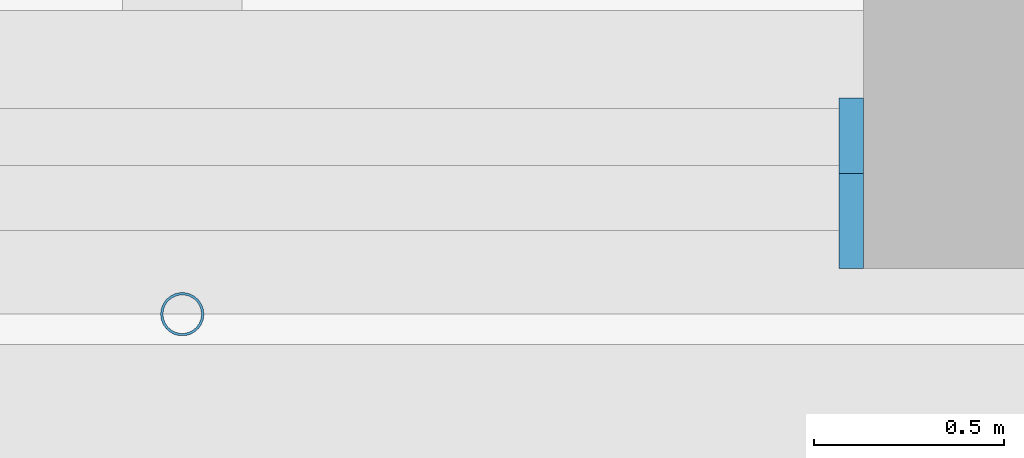
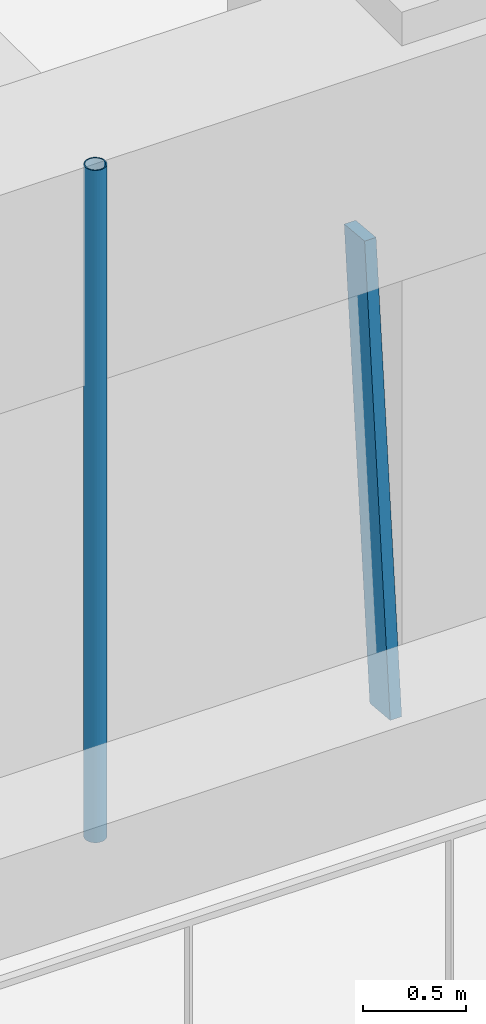
# One storey, part 4 of 24: 2 members, 1 element without a shape of its own.
"""IFC4 building model written with IfcOpenShell, lengths in metres."""

from ifc_helpers import new_model, si_unit, direction, frame, origin, origin_2d, place, context, subcontext, project, spatial, rectangle, hollow_circle, extrude, material, material_profile, profile_set, type_object, element, aggregate, save


model = new_model("IFC4")

# Units and contexts
model_context = context("Model", 3, precision=1e-05, world=origin(), true_north=direction((0.0, 1.0)))
body_context = subcontext(model_context, "Body", "Model", "MODEL_VIEW")
ifc_project = project(units=[si_unit("LENGTHUNIT", "METRE"), si_unit("AREAUNIT", "SQUARE_METRE"), si_unit("VOLUMEUNIT", "CUBIC_METRE"), si_unit("PLANEANGLEUNIT", "RADIAN"), si_unit("MASSUNIT", "GRAM", prefix="KILO")], contexts=[model_context])

# Site, building, storey
site_placement = place(None, origin())
site = spatial("IfcSite", under=ifc_project, at=site_placement, CompositionType="ELEMENT")
building_placement = place(site_placement, origin())
building = spatial("IfcBuilding", under=site, at=building_placement, Name="Tarfa Lantern Tower", CompositionType="ELEMENT")
storey_placement = place(building_placement, frame((0.0, 0.0, 94.89990234375)))
storey = spatial("IfcBuildingStorey", under=building, at=storey_placement, Name="L21", CompositionType="ELEMENT", Elevation=94.89990234375)

# Curtain wall, member
ifc_material_1 = material(Name="Aluminium framed curtain wall", Category="aluminium")
curtain_wall_type = type_object("IfcCurtainWallType", Name="CW1 CANTED GLAZING LOW ZONE 2700", PredefinedType="USERDEFINED", material=ifc_material_1)
curtain_wall_placement = place(storey_placement, origin())
curtain_wall = element("IfcCurtainWall", 1, at=curtain_wall_placement, inside=storey, type_object=curtain_wall_type, Name="CW1 S L21", ObjectType="CURTAIN WALL", PredefinedType="USERDEFINED")
ifc_material_2 = material(Name="Aluminium mullion", Category="aluminium")
ifc_material_profile_1 = material_profile(ifc_material_2, rectangle(XDim=0.06494140625, YDim=0.199951171875, at=origin_2d()), Name="AL MULLION 65x200")
ifc_profile_set_1 = profile_set([ifc_material_profile_1], Name="Aluminium mullion")
member_type_1 = type_object("IfcMemberType", Name="CWM1 MULLION 65x200", PredefinedType="MULLION", material=ifc_profile_set_1)
member_1_placement = place(storey_placement, frame((9.8447265625, -33.89990234375, 0.0), z_axis=(0.0, 0.092191598296, 0.995741286281), x_axis=(-1.0, 0.0, 0.0)))
member_1 = element("IfcMember", 2, at=member_1_placement, type_object=member_type_1, Name="CW1 mullion 2", PredefinedType="MULLION", context=body_context, shape_type="SweptSolid", body=[
    extrude(rectangle(XDim=0.06494140625, YDim=0.199951171875, at=origin_2d()), origin(), (0.0, 0.0, 1.0), 2.711669921875),
])
aggregate(curtain_wall, [member_1])

# Member
ifc_material_3 = material(Name="Steel S355", Category="steel")
ifc_material_profile_2 = material_profile(ifc_material_3, hollow_circle(Radius=0.05712890625, WallThickness=0.00634765625, at=origin_2d()), Name="CHS114.3x6.3")
ifc_profile_set_2 = profile_set([ifc_material_profile_2], Name="Steel S355")
member_type_2 = type_object("IfcMemberType", Name="TR1 GREEN WALL TRELLIS CHS114.3x6.3", PredefinedType="USERDEFINED", material=ifc_profile_set_2)
member_2_placement = place(storey_placement, frame((8.0830078125, -34.1201171875, 0.0), z_axis=(0.0, 0.0, 1.0), x_axis=(1.0, 0.0, 0.0)))
element("IfcMember", 3, at=member_2_placement, inside=storey, type_object=member_type_2, Name="Trellis post S 2", ObjectType="TRELLIS", PredefinedType="USERDEFINED", context=body_context, shape_type="SweptSolid", body=[
    extrude(hollow_circle(Radius=0.05712890625, WallThickness=0.00634765625, at=origin_2d()), origin(), (0.0, 0.0, 1.0), 4.0),
])

save(model, "model.ifc")
